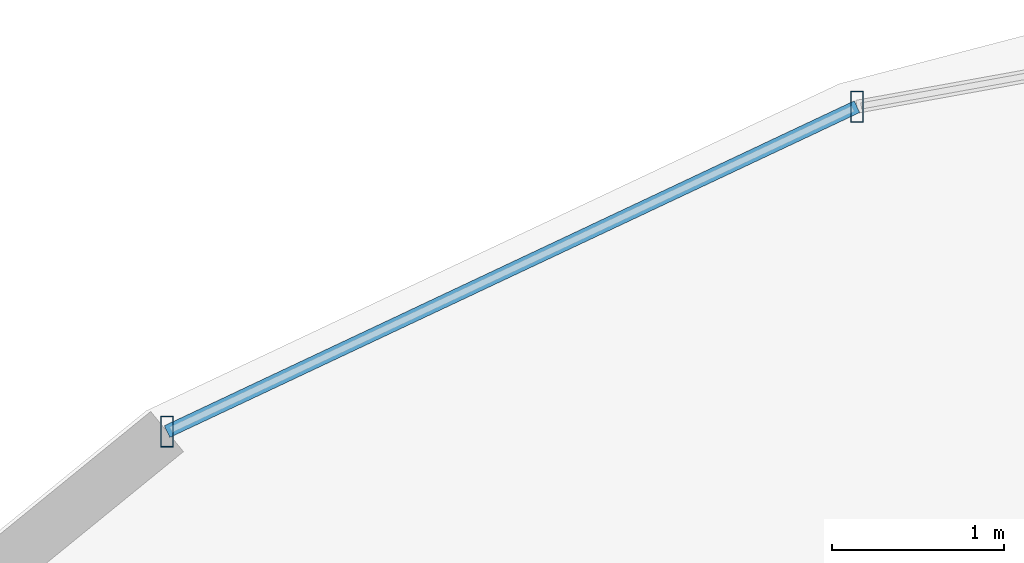
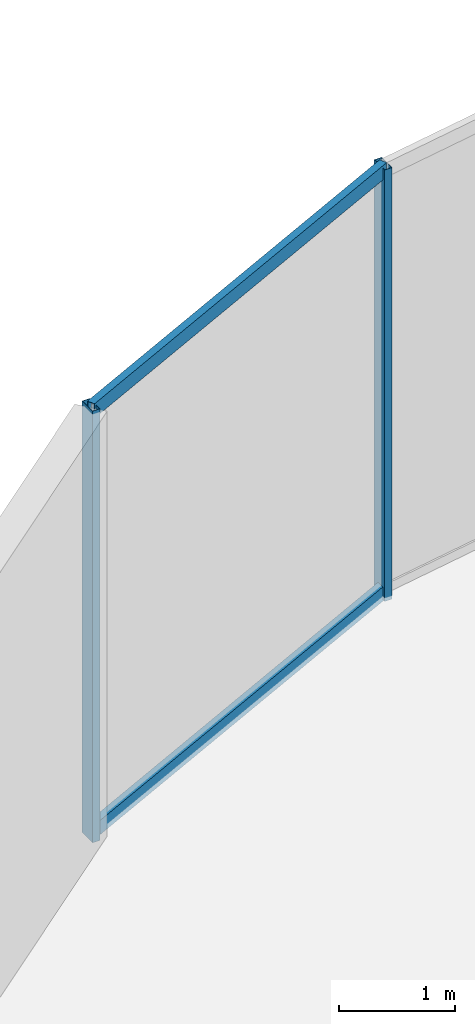
# One storey, part 13 of 26: 4 members, 1 element without a shape of its own.
"""IFC4 building model written with IfcOpenShell, lengths in metres."""

from ifc_helpers import new_model, si_unit, direction, frame, origin, origin_2d, place, context, subcontext, project, spatial, hollow_rectangle, extrude, material, material_profile, profile_set, type_object, element, aggregate, save


model = new_model("IFC4")

# Units and contexts
model_context = context("Model", 3, precision=1e-05, world=origin(), true_north=direction((0.0, 1.0)))
body_context = subcontext(model_context, "Body", "Model", "MODEL_VIEW")
ifc_project = project(units=[si_unit("LENGTHUNIT", "METRE"), si_unit("AREAUNIT", "SQUARE_METRE"), si_unit("VOLUMEUNIT", "CUBIC_METRE"), si_unit("PLANEANGLEUNIT", "RADIAN"), si_unit("MASSUNIT", "GRAM", prefix="KILO")], contexts=[model_context])

# Site, building, storey
site_placement = place(None, origin())
site = spatial("IfcSite", under=ifc_project, at=site_placement, CompositionType="ELEMENT")
building_placement = place(site_placement, origin())
building = spatial("IfcBuilding", under=site, at=building_placement, Name="Vorneva Point Tower", CompositionType="ELEMENT")
storey_placement = place(building_placement, frame((0.0, 0.0, 14.39990234375)))
storey = spatial("IfcBuildingStorey", under=building, at=storey_placement, Name="L03", CompositionType="ELEMENT", Elevation=14.39990234375)

# Curtain wall, members
ifc_material = material(Name="Pale anodised aluminium", Category="aluminium")
curtain_wall_type = type_object("IfcCurtainWallType", Name="CW-POD-SYS", PredefinedType="NOTDEFINED", material=ifc_material)
curtain_wall_placement = place(storey_placement, origin())
curtain_wall = element("IfcCurtainWall", 1, at=curtain_wall_placement, inside=storey, type_object=curtain_wall_type, Name="L03 Unitised Curtain Wall CW-L03-R02", PredefinedType="NOTDEFINED")
ifc_material_profile_1 = material_profile(ifc_material, hollow_rectangle(XDim=0.074951171875, YDim=0.179931640625, WallThickness=0.00390625, at=origin_2d()), Name="AL-MUL 180x75x4")
ifc_profile_set_1 = profile_set([ifc_material_profile_1], Name="Pale anodised aluminium")
member_type_1 = type_object("IfcMemberType", Name="CW-MUL-180", PredefinedType="MULLION", material=ifc_profile_set_1)
member_1_placement = place(storey_placement, frame((14.38134765625, 46.686767578125, -0.039794921875), z_axis=(0.0, 0.0, 1.0), x_axis=(1.0, 0.0, 0.0)))
member_1 = element("IfcMember", 2, at=member_1_placement, type_object=member_type_1, Name="CW-L03-R02 Mullion 03", PredefinedType="MULLION", context=body_context, shape_type="SweptSolid", body=[
    extrude(hollow_rectangle(XDim=0.074951171875, YDim=0.179931640625, WallThickness=0.00390625, at=origin_2d()), origin(), (0.0, 0.0, 1.0), 4.5498046875),
])
member_2_placement = place(storey_placement, frame((10.380126953125, 44.802490234375, -0.039794921875), z_axis=(0.0, 0.0, 1.0), x_axis=(1.0, 0.0, 0.0)))
member_2 = element("IfcMember", 3, at=member_2_placement, type_object=member_type_1, Name="CW-L03-R02 Mullion 04", PredefinedType="MULLION", context=body_context, shape_type="SweptSolid", body=[
    extrude(hollow_rectangle(XDim=0.074951171875, YDim=0.179931640625, WallThickness=0.00390625, at=origin_2d()), origin(), (0.0, 0.0, 1.0), 4.5498046875),
])
ifc_material_profile_2 = material_profile(ifc_material, hollow_rectangle(XDim=0.074951171875, YDim=0.14990234375, WallThickness=0.00390625, at=origin_2d()), Name="AL-TRN 150x75x4")
ifc_profile_set_2 = profile_set([ifc_material_profile_2], Name="Pale anodised aluminium")
member_type_2 = type_object("IfcMemberType", Name="CW-TRN-150", PredefinedType="USERDEFINED", material=ifc_profile_set_2)
member_3_placement = place(storey_placement, frame((14.38134765625, 46.686767578125, 0.02001953125), z_axis=(-0.904701070817, -0.426046913452, 0.0), x_axis=(0.426046913452, -0.904701070817, 0.0)))
member_3 = element("IfcMember", 4, at=member_3_placement, type_object=member_type_2, Name="CW-L03-R02 Transom 03.1", ObjectType="TRANSOM", PredefinedType="USERDEFINED", context=body_context, shape_type="SweptSolid", body=[
    extrude(hollow_rectangle(XDim=0.074951171875, YDim=0.14990234375, WallThickness=0.00390625, at=origin_2d()), origin(), (0.0, 0.0, 1.0), 4.422607421875),
])
member_4_placement = place(storey_placement, frame((14.38134765625, 46.686767578125, 4.460205078125), z_axis=(-0.904701070817, -0.426046913452, 0.0), x_axis=(0.426046913452, -0.904701070817, 0.0)))
member_4 = element("IfcMember", 5, at=member_4_placement, type_object=member_type_2, Name="CW-L03-R02 Transom 03.2", ObjectType="TRANSOM", PredefinedType="USERDEFINED", context=body_context, shape_type="SweptSolid", body=[
    extrude(hollow_rectangle(XDim=0.074951171875, YDim=0.14990234375, WallThickness=0.00390625, at=origin_2d()), origin(), (0.0, 0.0, 1.0), 4.422607421875),
])
aggregate(curtain_wall, [member_1, member_2, member_3, member_4])

save(model, "model.ifc")
